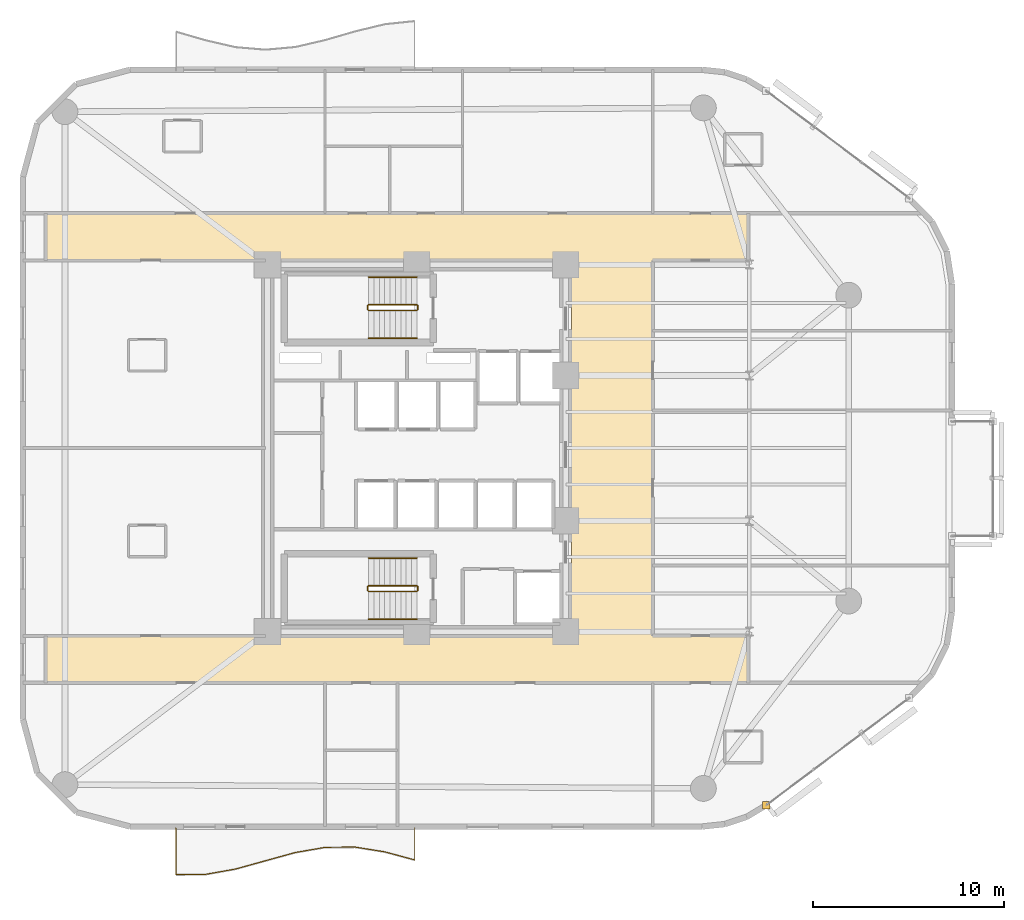
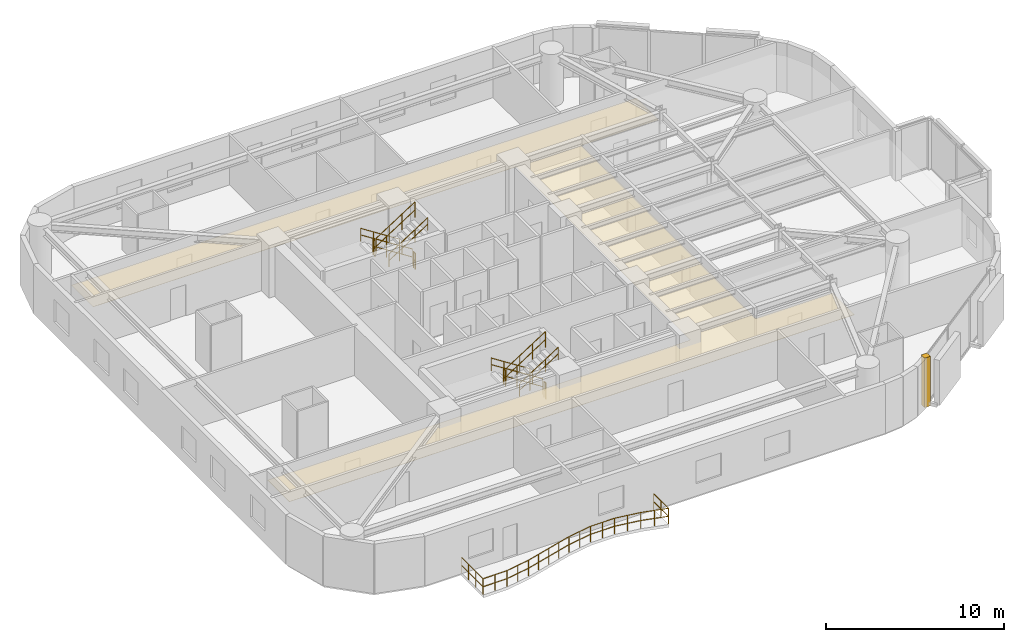
# One storey, part 12 of 13: 13 railings, 2 coverings.
"""IFC4 building model written with IfcOpenShell, lengths in metres."""

from ifc_helpers import new_model, si_unit, direction, frame, origin, origin_2d, place, context, subcontext, project, spatial, polyline, rectangle, circle, outline, extrude, material, layer, layer_set, type_object, element, save


model = new_model("IFC4")

# Units and contexts
model_context = context("Model", 3, precision=1e-05, world=origin(), true_north=direction((0.0, 1.0)))
body_context = subcontext(model_context, "Body", "Model", "MODEL_VIEW")
ifc_project = project(units=[si_unit("LENGTHUNIT", "METRE"), si_unit("AREAUNIT", "SQUARE_METRE"), si_unit("VOLUMEUNIT", "CUBIC_METRE"), si_unit("PLANEANGLEUNIT", "RADIAN"), si_unit("MASSUNIT", "GRAM", prefix="KILO")], contexts=[model_context])

# Site, building, storey
site_placement = place(None, origin())
site = spatial("IfcSite", under=ifc_project, at=site_placement, CompositionType="ELEMENT")
building_placement = place(site_placement, origin())
building = spatial("IfcBuilding", under=site, at=building_placement, Name="An Khanh Terracotta Commons", CompositionType="ELEMENT")
storey_placement = place(building_placement, frame((0.0, 0.0, 125.89990234375)))
storey = spatial("IfcBuildingStorey", under=building, at=storey_placement, Name="L33", CompositionType="ELEMENT", Elevation=125.89990234375)

# Coverings
ifc_material_1 = material(Name="Perforated Mineral-Fibre Acoustic Tile")
ifc_layer_1 = layer(ifc_material_1, 0.02001953125, Name="Perforated Mineral-Fibre Acoustic Tile")
ifc_layer_set_1 = layer_set([ifc_layer_1], Name="Perforated Mineral-Fibre Acoustic Tile")
covering_type_1 = type_object("IfcCoveringType", Name="CEIL-ACOUSTIC-18", PredefinedType="CEILING", material=ifc_layer_set_1)
covering_1_placement = place(storey_placement, frame((0.0, 0.0, 2.650146484375)))
element("IfcCovering", 1, at=covering_1_placement, inside=storey, type_object=covering_type_1, Name="L33 Corridor Ceiling", PredefinedType="CEILING", context=body_context, shape_type="SweptSolid", body=[
    extrude(outline(polyline([(37.5, 14.179931640625), (37.5, 33.820068359375), (10.0, 33.820068359375), (10.0, 36.280029296875), (37.5, 36.280029296875), (41.75, 36.280029296875), (46.75, 36.280029296875), (46.75, 33.820068359375), (41.75, 33.820068359375), (41.75, 14.179931640625), (46.75, 14.179931640625), (46.75, 11.719970703125), (41.75, 11.719970703125), (37.5, 11.719970703125), (10.0, 11.719970703125), (10.0, 14.179931640625), (37.5, 14.179931640625)])), origin(), (0.0, 0.0, 1.0), 0.02001953125),
])
ifc_material_2 = material(Name="Fired Terracotta Rainscreen Cladding", Category="masonry")
ifc_layer_2 = layer(ifc_material_2, 0.080078125, Name="Fired Terracotta Rainscreen Cladding")
ifc_layer_set_2 = layer_set([ifc_layer_2], Name="Fired Terracotta Rainscreen Cladding")
covering_type_2 = type_object("IfcCoveringType", Name="COV-JAMB-TERRA", PredefinedType="CLADDING", material=ifc_layer_set_2)
covering_2_placement = place(storey_placement, frame((47.693115234375, 5.320068359375, 0.000244140625), z_axis=(0.0, 0.0, 1.0), x_axis=(1.0, 0.0, 0.0)))
element("IfcCovering", 2, at=covering_2_placement, inside=storey, type_object=covering_type_2, Name="L33 CW-02 Curtain-Wall Jamb Closure JA", PredefinedType="CLADDING", context=body_context, shape_type="SweptSolid", body=[
    extrude(rectangle(XDim=0.3798828125, YDim=0.3798828125, at=origin_2d()), origin(), (0.0, 0.0, 1.0), 3.39990234375),
])

# Railings
ifc_material_3 = material(Name="Brushed Stainless Steel 316", Category="steel")
railing_type_1 = type_object("IfcRailingType", Name="RAIL-BALUSTRADE-1100", PredefinedType="BALUSTRADE", material=ifc_material_3)
railing_1_placement = place(storey_placement, frame((16.800048828125, 4.139892578125, 0.0)))
element("IfcRailing", 3, at=railing_1_placement, inside=storey, type_object=railing_type_1, Name="L33 S Wave Balcony Guard Balustrade", PredefinedType="BALUSTRADE", context=body_context, shape_type="SweptSolid", body=[
    extrude(circle(Radius=0.02392578125, at=origin_2d()), frame((0.0, 0.0, 1.076171875), z_axis=(0.0, -1.0, 0.0), x_axis=(1.0, 0.0, 0.0)), (0.0, 0.0, 1.0), 2.453857421875),
    extrude(circle(Radius=0.02392578125, at=origin_2d()), frame((0.0, 0.0, 0.52587890625), z_axis=(0.0, -1.0, 0.0), x_axis=(1.0, 0.0, 0.0)), (0.0, 0.0, 1.0), 2.453857421875),
    extrude(circle(Radius=0.02392578125, at=origin_2d()), frame((0.0, -2.453857421875, 1.076171875), z_axis=(0.99991798129, 0.012807446808, 0.0), x_axis=(-0.012807446808, 0.99991798129, 0.0)), (0.0, 0.0, 1.0), 1.563232421875),
    extrude(circle(Radius=0.02392578125, at=origin_2d()), frame((0.0, -2.453857421875, 0.52587890625), z_axis=(0.99991798129, 0.012807446808, 0.0), x_axis=(-0.012807446808, 0.99991798129, 0.0)), (0.0, 0.0, 1.0), 1.563232421875),
    extrude(circle(Radius=0.02392578125, at=origin_2d()), frame((1.56298828125, -2.433837890625, 1.076171875), z_axis=(0.984653138928, 0.174522766418, 0.0), x_axis=(-0.174522766418, 0.984653138928, 0.0)), (0.0, 0.0, 1.0), 1.58642578125),
    extrude(circle(Radius=0.02392578125, at=origin_2d()), frame((1.56298828125, -2.433837890625, 0.52587890625), z_axis=(0.984653138928, 0.174522766418, 0.0), x_axis=(-0.174522766418, 0.984653138928, 0.0)), (0.0, 0.0, 1.0), 1.58642578125),
    extrude(circle(Radius=0.02392578125, at=origin_2d()), frame((3.125, -2.156982421875, 1.076171875), z_axis=(0.963685932128, 0.26703824486, 0.0), x_axis=(-0.26703824486, 0.963685932128, 0.0)), (0.0, 0.0, 1.0), 1.621826171875),
    extrude(circle(Radius=0.02392578125, at=origin_2d()), frame((3.125, -2.156982421875, 0.52587890625), z_axis=(0.963685932128, 0.26703824486, 0.0), x_axis=(-0.26703824486, 0.963685932128, 0.0)), (0.0, 0.0, 1.0), 1.621826171875),
    extrude(circle(Radius=0.02392578125, at=origin_2d()), frame((4.68798828125, -1.723876953125, 1.076171875), z_axis=(0.963991286298, 0.265933826245, 0.0), x_axis=(-0.265933826245, 0.963991286298, 0.0)), (0.0, 0.0, 1.0), 1.620361328125),
    extrude(circle(Radius=0.02392578125, at=origin_2d()), frame((4.68798828125, -1.723876953125, 0.52587890625), z_axis=(0.963991286298, 0.265933826245, 0.0), x_axis=(-0.265933826245, 0.963991286298, 0.0)), (0.0, 0.0, 1.0), 1.620361328125),
    extrude(circle(Radius=0.02392578125, at=origin_2d()), frame((6.25, -1.29296875, 1.076171875), z_axis=(0.985299731639, 0.170834536414, 0.0), x_axis=(-0.170834536414, 0.985299731639, 0.0)), (0.0, 0.0, 1.0), 1.58642578125),
    extrude(circle(Radius=0.02392578125, at=origin_2d()), frame((6.25, -1.29296875, 0.52587890625), z_axis=(0.985299731639, 0.170834536414, 0.0), x_axis=(-0.170834536414, 0.985299731639, 0.0)), (0.0, 0.0, 1.0), 1.58642578125),
    extrude(circle(Radius=0.02392578125, at=origin_2d()), frame((7.81298828125, -1.02197265625, 1.076171875), z_axis=(0.999964383942, 0.008439836939, 0.0), x_axis=(-0.008439836939, 0.999964383942, 0.0)), (0.0, 0.0, 1.0), 1.56201171875),
    extrude(circle(Radius=0.02392578125, at=origin_2d()), frame((7.81298828125, -1.02197265625, 0.52587890625), z_axis=(0.999964383942, 0.008439836939, 0.0), x_axis=(-0.008439836939, 0.999964383942, 0.0)), (0.0, 0.0, 1.0), 1.56201171875),
    extrude(circle(Radius=0.02392578125, at=origin_2d()), frame((9.375, -1.0087890625, 1.076171875), z_axis=(0.987448330743, -0.157942375926, 0.0), x_axis=(0.157942375926, 0.987448330743, 0.0)), (0.0, 0.0, 1.0), 1.582763671875),
    extrude(circle(Radius=0.02392578125, at=origin_2d()), frame((9.375, -1.0087890625, 0.52587890625), z_axis=(0.987448330743, -0.157942375926, 0.0), x_axis=(0.157942375926, 0.987448330743, 0.0)), (0.0, 0.0, 1.0), 1.582763671875),
    extrude(circle(Radius=0.02392578125, at=origin_2d()), frame((10.93798828125, -1.2587890625, 1.076171875), z_axis=(0.965370582615, -0.260882422217, 0.0), x_axis=(0.260882422217, 0.965370582615, 0.0)), (0.0, 0.0, 1.0), 1.6181640625),
    extrude(circle(Radius=0.02392578125, at=origin_2d()), frame((10.93798828125, -1.2587890625, 0.52587890625), z_axis=(0.965370582615, -0.260882422217, 0.0), x_axis=(0.260882422217, 0.965370582615, 0.0)), (0.0, 0.0, 1.0), 1.6181640625),
    extrude(circle(Radius=0.02392578125, at=origin_2d()), frame((12.5, -1.680908203125, 1.076171875), z_axis=(0.0, 1.0, 0.0), x_axis=(-1.0, 0.0, 0.0)), (0.0, 0.0, 1.0), 1.680908203125),
    extrude(circle(Radius=0.02392578125, at=origin_2d()), frame((12.5, -1.680908203125, 0.52587890625), z_axis=(0.0, 1.0, 0.0), x_axis=(-1.0, 0.0, 0.0)), (0.0, 0.0, 1.0), 1.680908203125),
    extrude(circle(Radius=0.02099609375, at=origin_2d()), origin(), (0.0, 0.0, 1.0), 1.052001953125),
    extrude(circle(Radius=0.02099609375, at=origin_2d()), frame((0.0, -0.81787109375, 0.0)), (0.0, 0.0, 1.0), 1.052001953125),
    extrude(circle(Radius=0.02099609375, at=origin_2d()), frame((0.0, -1.635986328125, 0.0)), (0.0, 0.0, 1.0), 1.052001953125),
    extrude(circle(Radius=0.02099609375, at=origin_2d()), frame((0.0, -2.453857421875, 0.0)), (0.0, 0.0, 1.0), 1.052001953125),
    extrude(circle(Radius=0.02099609375, at=origin_2d()), frame((0.781494140625, -2.44384765625, 0.0)), (0.0, 0.0, 1.0), 1.052001953125),
    extrude(circle(Radius=0.02099609375, at=origin_2d()), frame((1.56298828125, -2.433837890625, 0.0)), (0.0, 0.0, 1.0), 1.052001953125),
    extrude(circle(Radius=0.02099609375, at=origin_2d()), frame((2.343994140625, -2.29541015625, 0.0)), (0.0, 0.0, 1.0), 1.052001953125),
    extrude(circle(Radius=0.02099609375, at=origin_2d()), frame((3.125, -2.156982421875, 0.0)), (0.0, 0.0, 1.0), 1.052001953125),
    extrude(circle(Radius=0.02099609375, at=origin_2d()), frame((3.906494140625, -1.9404296875, 0.0)), (0.0, 0.0, 1.0), 1.052001953125),
    extrude(circle(Radius=0.02099609375, at=origin_2d()), frame((4.68798828125, -1.723876953125, 0.0)), (0.0, 0.0, 1.0), 1.052001953125),
    extrude(circle(Radius=0.02099609375, at=origin_2d()), frame((5.468994140625, -1.50830078125, 0.0)), (0.0, 0.0, 1.0), 1.052001953125),
    extrude(circle(Radius=0.02099609375, at=origin_2d()), frame((6.25, -1.29296875, 0.0)), (0.0, 0.0, 1.0), 1.052001953125),
    extrude(circle(Radius=0.02099609375, at=origin_2d()), frame((7.031494140625, -1.157470703125, 0.0)), (0.0, 0.0, 1.0), 1.052001953125),
    extrude(circle(Radius=0.02099609375, at=origin_2d()), frame((7.81298828125, -1.02197265625, 0.0)), (0.0, 0.0, 1.0), 1.052001953125),
    extrude(circle(Radius=0.02099609375, at=origin_2d()), frame((8.593994140625, -1.015380859375, 0.0)), (0.0, 0.0, 1.0), 1.052001953125),
    extrude(circle(Radius=0.02099609375, at=origin_2d()), frame((9.375, -1.0087890625, 0.0)), (0.0, 0.0, 1.0), 1.052001953125),
    extrude(circle(Radius=0.02099609375, at=origin_2d()), frame((10.156494140625, -1.1337890625, 0.0)), (0.0, 0.0, 1.0), 1.052001953125),
    extrude(circle(Radius=0.02099609375, at=origin_2d()), frame((10.93798828125, -1.2587890625, 0.0)), (0.0, 0.0, 1.0), 1.052001953125),
    extrude(circle(Radius=0.02099609375, at=origin_2d()), frame((11.718994140625, -1.4697265625, 0.0)), (0.0, 0.0, 1.0), 1.052001953125),
    extrude(circle(Radius=0.02099609375, at=origin_2d()), frame((12.5, -1.680908203125, 0.0)), (0.0, 0.0, 1.0), 1.052001953125),
    extrude(circle(Radius=0.02099609375, at=origin_2d()), frame((12.5, -0.84033203125, 0.0)), (0.0, 0.0, 1.0), 1.052001953125),
    extrude(circle(Radius=0.02099609375, at=origin_2d()), frame((12.5, 0.0, 0.0)), (0.0, 0.0, 1.0), 1.052001953125),
])
railing_type_2 = type_object("IfcRailingType", Name="RAIL-HANDRAIL-900", PredefinedType="HANDRAIL", material=ifc_material_3)
railing_2_placement = place(storey_placement, frame((29.409912109375, 32.949951171875, 0.18017578125)))
element("IfcRailing", 4, at=railing_2_placement, inside=storey, type_object=railing_type_2, Name="L33 ST-01 stair handrail 1", PredefinedType="HANDRAIL", context=body_context, shape_type="SweptSolid", body=[
    extrude(circle(Radius=0.02392578125, at=origin_2d()), frame((0.0, 0.0, 0.8759765625), z_axis=(-0.841199657755, 0.0, 0.540724639528), x_axis=(0.0, -1.0, 0.0)), (0.0, 0.0, 1.0), 2.995849609375),
    extrude(circle(Radius=0.02392578125, at=origin_2d()), frame((0.0, 0.0, 0.42578125), z_axis=(-0.841199657755, 0.0, 0.540724639528), x_axis=(0.0, -1.0, 0.0)), (0.0, 0.0, 1.0), 2.995849609375),
    extrude(circle(Radius=0.02099609375, at=origin_2d()), origin(), (0.0, 0.0, 1.0), 0.851806640625),
    extrude(circle(Radius=0.02099609375, at=origin_2d()), frame((-0.840087890625, 0.0, 0.5400390625)), (0.0, 0.0, 1.0), 0.851806640625),
    extrude(circle(Radius=0.02099609375, at=origin_2d()), frame((-1.679931640625, 0.0, 1.079833984375)), (0.0, 0.0, 1.0), 0.851806640625),
    extrude(circle(Radius=0.02099609375, at=origin_2d()), frame((-2.52001953125, 0.0, 1.619873046875)), (0.0, 0.0, 1.0), 0.851806640625),
])
railing_3_placement = place(storey_placement, frame((26.889892578125, 29.75, 1.97998046875)))
element("IfcRailing", 5, at=railing_3_placement, inside=storey, type_object=railing_type_2, Name="L33 ST-01 stair handrail 2", PredefinedType="HANDRAIL", context=body_context, shape_type="SweptSolid", body=[
    extrude(circle(Radius=0.02392578125, at=origin_2d()), frame((0.0, 0.0, 0.8759765625), z_axis=(0.841162588446, 0.0, 0.540782303519), x_axis=(0.0, 1.0, 0.0)), (0.0, 0.0, 1.0), 2.995849609375),
    extrude(circle(Radius=0.02392578125, at=origin_2d()), frame((0.0, 0.0, 0.42578125), z_axis=(0.841162588446, 0.0, 0.540782303519), x_axis=(0.0, 1.0, 0.0)), (0.0, 0.0, 1.0), 2.995849609375),
    extrude(circle(Radius=0.02099609375, at=origin_2d()), origin(), (0.0, 0.0, 1.0), 0.851806640625),
    extrude(circle(Radius=0.02099609375, at=origin_2d()), frame((0.840087890625, 0.0, 0.5400390625)), (0.0, 0.0, 1.0), 0.851806640625),
    extrude(circle(Radius=0.02099609375, at=origin_2d()), frame((1.679931640625, 0.0, 1.080078125)), (0.0, 0.0, 1.0), 0.851806640625),
    extrude(circle(Radius=0.02099609375, at=origin_2d()), frame((2.52001953125, 0.0, 1.6201171875)), (0.0, 0.0, 1.0), 0.851806640625),
])
railing_4_placement = place(storey_placement, frame((29.409912109375, 18.25, 0.18017578125)))
element("IfcRailing", 6, at=railing_4_placement, inside=storey, type_object=railing_type_2, Name="L33 ST-02 stair handrail 1", PredefinedType="HANDRAIL", context=body_context, shape_type="SweptSolid", body=[
    extrude(circle(Radius=0.02392578125, at=origin_2d()), frame((0.0, 0.0, 0.8759765625), z_axis=(-0.841199657755, 0.0, 0.540724639528), x_axis=(0.0, -1.0, 0.0)), (0.0, 0.0, 1.0), 2.995849609375),
    extrude(circle(Radius=0.02392578125, at=origin_2d()), frame((0.0, 0.0, 0.42578125), z_axis=(-0.841199657755, 0.0, 0.540724639528), x_axis=(0.0, -1.0, 0.0)), (0.0, 0.0, 1.0), 2.995849609375),
    extrude(circle(Radius=0.02099609375, at=origin_2d()), origin(), (0.0, 0.0, 1.0), 0.851806640625),
    extrude(circle(Radius=0.02099609375, at=origin_2d()), frame((-0.840087890625, 0.0, 0.5400390625)), (0.0, 0.0, 1.0), 0.851806640625),
    extrude(circle(Radius=0.02099609375, at=origin_2d()), frame((-1.679931640625, 0.0, 1.079833984375)), (0.0, 0.0, 1.0), 0.851806640625),
    extrude(circle(Radius=0.02099609375, at=origin_2d()), frame((-2.52001953125, 0.0, 1.619873046875)), (0.0, 0.0, 1.0), 0.851806640625),
])
railing_5_placement = place(storey_placement, frame((26.889892578125, 15.050048828125, 1.97998046875)))
element("IfcRailing", 7, at=railing_5_placement, inside=storey, type_object=railing_type_2, Name="L33 ST-02 stair handrail 2", PredefinedType="HANDRAIL", context=body_context, shape_type="SweptSolid", body=[
    extrude(circle(Radius=0.02392578125, at=origin_2d()), frame((0.0, 0.0, 0.8759765625), z_axis=(0.841162588446, 0.0, 0.540782303519), x_axis=(0.0, 1.0, 0.0)), (0.0, 0.0, 1.0), 2.995849609375),
    extrude(circle(Radius=0.02392578125, at=origin_2d()), frame((0.0, 0.0, 0.42578125), z_axis=(0.841162588446, 0.0, 0.540782303519), x_axis=(0.0, 1.0, 0.0)), (0.0, 0.0, 1.0), 2.995849609375),
    extrude(circle(Radius=0.02099609375, at=origin_2d()), origin(), (0.0, 0.0, 1.0), 0.851806640625),
    extrude(circle(Radius=0.02099609375, at=origin_2d()), frame((0.840087890625, 0.0, 0.5400390625)), (0.0, 0.0, 1.0), 0.851806640625),
    extrude(circle(Radius=0.02099609375, at=origin_2d()), frame((1.679931640625, 0.0, 1.080078125)), (0.0, 0.0, 1.0), 0.851806640625),
    extrude(circle(Radius=0.02099609375, at=origin_2d()), frame((2.52001953125, 0.0, 1.6201171875)), (0.0, 0.0, 1.0), 0.851806640625),
])
ifc_material_4 = material(Name="Powder-Coated Steel S355J2", Category="steel")
railing_type_3 = type_object("IfcRailingType", Name="RAIL-STAIR-GUARD-1100", PredefinedType="BALUSTRADE", material=ifc_material_4)
railing_6_placement = place(storey_placement, frame((29.409912109375, 31.5, 0.18017578125)))
element("IfcRailing", 8, at=railing_6_placement, inside=storey, type_object=railing_type_3, Name="L33 ST-01 stair guard 1", PredefinedType="BALUSTRADE", context=body_context, shape_type="SweptSolid", body=[
    extrude(circle(Radius=0.02392578125, at=origin_2d()), frame((0.0, 0.0, 1.076171875), z_axis=(-0.841199657755, 0.0, 0.540724639528), x_axis=(0.0, -1.0, 0.0)), (0.0, 0.0, 1.0), 2.995849609375),
    extrude(circle(Radius=0.02392578125, at=origin_2d()), frame((0.0, 0.0, 0.52587890625), z_axis=(-0.841199657755, 0.0, 0.540724639528), x_axis=(0.0, -1.0, 0.0)), (0.0, 0.0, 1.0), 2.995849609375),
    extrude(circle(Radius=0.02099609375, at=origin_2d()), origin(), (0.0, 0.0, 1.0), 1.052001953125),
    extrude(circle(Radius=0.02099609375, at=origin_2d()), frame((-0.840087890625, 0.0, 0.5400390625)), (0.0, 0.0, 1.0), 1.052001953125),
    extrude(circle(Radius=0.02099609375, at=origin_2d()), frame((-1.679931640625, 0.0, 1.079833984375)), (0.0, 0.0, 1.0), 1.052001953125),
    extrude(circle(Radius=0.02099609375, at=origin_2d()), frame((-2.52001953125, 0.0, 1.619873046875)), (0.0, 0.0, 1.0), 1.052001953125),
])
railing_7_placement = place(storey_placement, frame((26.840087890625, 31.449951171875, 1.800048828125)))
element("IfcRailing", 9, at=railing_7_placement, inside=storey, type_object=railing_type_3, Name="L33 ST-01 stair guard 2", PredefinedType="BALUSTRADE", context=body_context, shape_type="SweptSolid", body=[
    extrude(circle(Radius=0.02392578125, at=origin_2d()), frame((0.0, 0.0, 1.076171875), z_axis=(0.0, -1.0, 0.0), x_axis=(1.0, 0.0, 0.0)), (0.0, 0.0, 1.0), 0.199951171875),
    extrude(circle(Radius=0.02392578125, at=origin_2d()), frame((0.0, 0.0, 0.52587890625), z_axis=(0.0, -1.0, 0.0), x_axis=(1.0, 0.0, 0.0)), (0.0, 0.0, 1.0), 0.199951171875),
    extrude(circle(Radius=0.02099609375, at=origin_2d()), origin(), (0.0, 0.0, 1.0), 1.052001953125),
    extrude(circle(Radius=0.02099609375, at=origin_2d()), frame((0.0, -0.199951171875, 0.0)), (0.0, 0.0, 1.0), 1.052001953125),
])
railing_8_placement = place(storey_placement, frame((26.889892578125, 31.199951171875, 1.97998046875)))
element("IfcRailing", 10, at=railing_8_placement, inside=storey, type_object=railing_type_3, Name="L33 ST-01 stair guard 3", PredefinedType="BALUSTRADE", context=body_context, shape_type="SweptSolid", body=[
    extrude(circle(Radius=0.02392578125, at=origin_2d()), frame((0.0, 0.0, 1.076171875), z_axis=(0.841162588446, 0.0, 0.540782303519), x_axis=(0.0, 1.0, 0.0)), (0.0, 0.0, 1.0), 2.995849609375),
    extrude(circle(Radius=0.02392578125, at=origin_2d()), frame((0.0, 0.0, 0.52587890625), z_axis=(0.841162588446, 0.0, 0.540782303519), x_axis=(0.0, 1.0, 0.0)), (0.0, 0.0, 1.0), 2.995849609375),
    extrude(circle(Radius=0.02099609375, at=origin_2d()), origin(), (0.0, 0.0, 1.0), 1.052001953125),
    extrude(circle(Radius=0.02099609375, at=origin_2d()), frame((0.840087890625, 0.0, 0.5400390625)), (0.0, 0.0, 1.0), 1.052001953125),
    extrude(circle(Radius=0.02099609375, at=origin_2d()), frame((1.679931640625, 0.0, 1.080078125)), (0.0, 0.0, 1.0), 1.052001953125),
    extrude(circle(Radius=0.02099609375, at=origin_2d()), frame((2.52001953125, 0.0, 1.6201171875)), (0.0, 0.0, 1.0), 1.052001953125),
])
railing_9_placement = place(storey_placement, frame((29.4599609375, 31.449951171875, 0.0)))
element("IfcRailing", 11, at=railing_9_placement, inside=storey, type_object=railing_type_3, Name="L33 ST-01 stair guard 4", PredefinedType="BALUSTRADE", context=body_context, shape_type="SweptSolid", body=[
    extrude(circle(Radius=0.02392578125, at=origin_2d()), frame((0.0, 0.0, 1.076171875), z_axis=(0.0, -1.0, 0.0), x_axis=(1.0, 0.0, 0.0)), (0.0, 0.0, 1.0), 0.199951171875),
    extrude(circle(Radius=0.02392578125, at=origin_2d()), frame((0.0, 0.0, 0.52587890625), z_axis=(0.0, -1.0, 0.0), x_axis=(1.0, 0.0, 0.0)), (0.0, 0.0, 1.0), 0.199951171875),
    extrude(circle(Radius=0.02099609375, at=origin_2d()), origin(), (0.0, 0.0, 1.0), 1.052001953125),
    extrude(circle(Radius=0.02099609375, at=origin_2d()), frame((0.0, -0.199951171875, 0.0)), (0.0, 0.0, 1.0), 1.052001953125),
])
railing_10_placement = place(storey_placement, frame((29.409912109375, 16.800048828125, 0.18017578125)))
element("IfcRailing", 12, at=railing_10_placement, inside=storey, type_object=railing_type_3, Name="L33 ST-02 stair guard 1", PredefinedType="BALUSTRADE", context=body_context, shape_type="SweptSolid", body=[
    extrude(circle(Radius=0.02392578125, at=origin_2d()), frame((0.0, 0.0, 1.076171875), z_axis=(-0.841199657755, 0.0, 0.540724639528), x_axis=(0.0, -1.0, 0.0)), (0.0, 0.0, 1.0), 2.995849609375),
    extrude(circle(Radius=0.02392578125, at=origin_2d()), frame((0.0, 0.0, 0.52587890625), z_axis=(-0.841199657755, 0.0, 0.540724639528), x_axis=(0.0, -1.0, 0.0)), (0.0, 0.0, 1.0), 2.995849609375),
    extrude(circle(Radius=0.02099609375, at=origin_2d()), origin(), (0.0, 0.0, 1.0), 1.052001953125),
    extrude(circle(Radius=0.02099609375, at=origin_2d()), frame((-0.840087890625, 0.0, 0.5400390625)), (0.0, 0.0, 1.0), 1.052001953125),
    extrude(circle(Radius=0.02099609375, at=origin_2d()), frame((-1.679931640625, 0.0, 1.079833984375)), (0.0, 0.0, 1.0), 1.052001953125),
    extrude(circle(Radius=0.02099609375, at=origin_2d()), frame((-2.52001953125, 0.0, 1.619873046875)), (0.0, 0.0, 1.0), 1.052001953125),
])
railing_11_placement = place(storey_placement, frame((26.840087890625, 16.75, 1.800048828125)))
element("IfcRailing", 13, at=railing_11_placement, inside=storey, type_object=railing_type_3, Name="L33 ST-02 stair guard 2", PredefinedType="BALUSTRADE", context=body_context, shape_type="SweptSolid", body=[
    extrude(circle(Radius=0.02392578125, at=origin_2d()), frame((0.0, 0.0, 1.076171875), z_axis=(0.0, -1.0, 0.0), x_axis=(1.0, 0.0, 0.0)), (0.0, 0.0, 1.0), 0.199951171875),
    extrude(circle(Radius=0.02392578125, at=origin_2d()), frame((0.0, 0.0, 0.52587890625), z_axis=(0.0, -1.0, 0.0), x_axis=(1.0, 0.0, 0.0)), (0.0, 0.0, 1.0), 0.199951171875),
    extrude(circle(Radius=0.02099609375, at=origin_2d()), origin(), (0.0, 0.0, 1.0), 1.052001953125),
    extrude(circle(Radius=0.02099609375, at=origin_2d()), frame((0.0, -0.199951171875, 0.0)), (0.0, 0.0, 1.0), 1.052001953125),
])
railing_12_placement = place(storey_placement, frame((26.889892578125, 16.5, 1.97998046875)))
element("IfcRailing", 14, at=railing_12_placement, inside=storey, type_object=railing_type_3, Name="L33 ST-02 stair guard 3", PredefinedType="BALUSTRADE", context=body_context, shape_type="SweptSolid", body=[
    extrude(circle(Radius=0.02392578125, at=origin_2d()), frame((0.0, 0.0, 1.076171875), z_axis=(0.841162588446, 0.0, 0.540782303519), x_axis=(0.0, 1.0, 0.0)), (0.0, 0.0, 1.0), 2.995849609375),
    extrude(circle(Radius=0.02392578125, at=origin_2d()), frame((0.0, 0.0, 0.52587890625), z_axis=(0.841162588446, 0.0, 0.540782303519), x_axis=(0.0, 1.0, 0.0)), (0.0, 0.0, 1.0), 2.995849609375),
    extrude(circle(Radius=0.02099609375, at=origin_2d()), origin(), (0.0, 0.0, 1.0), 1.052001953125),
    extrude(circle(Radius=0.02099609375, at=origin_2d()), frame((0.840087890625, 0.0, 0.5400390625)), (0.0, 0.0, 1.0), 1.052001953125),
    extrude(circle(Radius=0.02099609375, at=origin_2d()), frame((1.679931640625, 0.0, 1.080078125)), (0.0, 0.0, 1.0), 1.052001953125),
    extrude(circle(Radius=0.02099609375, at=origin_2d()), frame((2.52001953125, 0.0, 1.6201171875)), (0.0, 0.0, 1.0), 1.052001953125),
])
railing_13_placement = place(storey_placement, frame((29.4599609375, 16.75, 0.0)))
element("IfcRailing", 15, at=railing_13_placement, inside=storey, type_object=railing_type_3, Name="L33 ST-02 stair guard 4", PredefinedType="BALUSTRADE", context=body_context, shape_type="SweptSolid", body=[
    extrude(circle(Radius=0.02392578125, at=origin_2d()), frame((0.0, 0.0, 1.076171875), z_axis=(0.0, -1.0, 0.0), x_axis=(1.0, 0.0, 0.0)), (0.0, 0.0, 1.0), 0.199951171875),
    extrude(circle(Radius=0.02392578125, at=origin_2d()), frame((0.0, 0.0, 0.52587890625), z_axis=(0.0, -1.0, 0.0), x_axis=(1.0, 0.0, 0.0)), (0.0, 0.0, 1.0), 0.199951171875),
    extrude(circle(Radius=0.02099609375, at=origin_2d()), origin(), (0.0, 0.0, 1.0), 1.052001953125),
    extrude(circle(Radius=0.02099609375, at=origin_2d()), frame((0.0, -0.199951171875, 0.0)), (0.0, 0.0, 1.0), 1.052001953125),
])

save(model, "model.ifc")
